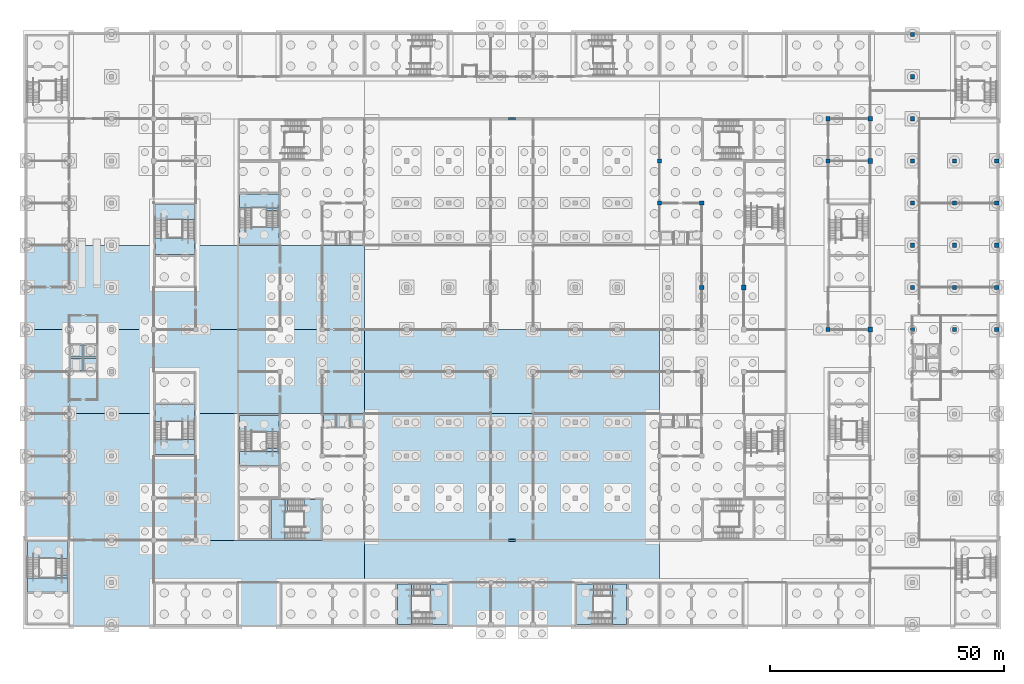
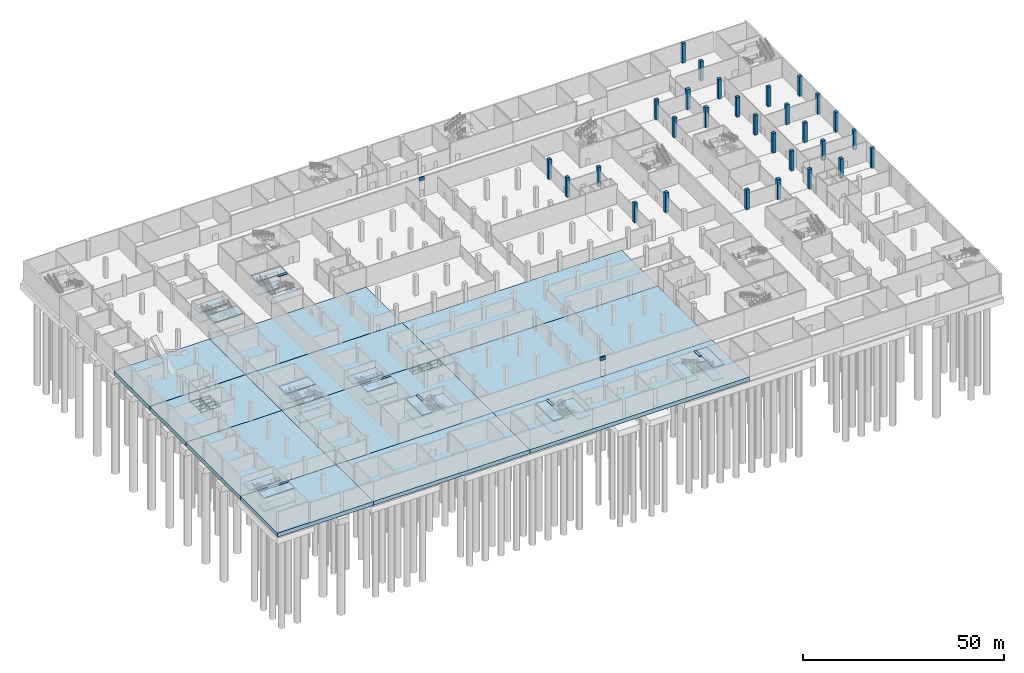
# One storey, part 5 of 42: 50 slabs, 29 columns, 2 beams, 8 elements without a shape of their own.
"""IFC4 building model written with IfcOpenShell, lengths in metres."""

from ifc_helpers import new_model, si_unit, direction, frame, origin, origin_2d, place, context, subcontext, project, spatial, polyline, rectangle, outline, extrude, material, layer, layer_set, material_profile, profile_set, type_object, element, aggregate, save


model = new_model("IFC4")

# Units and contexts
model_context = context("Model", 3, precision=1e-05, world=origin(), true_north=direction((0.0, 1.0)))
body_context = subcontext(model_context, "Body", "Model", "MODEL_VIEW")
ifc_project = project(units=[si_unit("LENGTHUNIT", "METRE"), si_unit("AREAUNIT", "SQUARE_METRE"), si_unit("VOLUMEUNIT", "CUBIC_METRE"), si_unit("PLANEANGLEUNIT", "RADIAN"), si_unit("MASSUNIT", "GRAM", prefix="KILO")], contexts=[model_context])

# Site, building, storey
site_placement = place(None, origin())
site = spatial("IfcSite", under=ifc_project, at=site_placement, CompositionType="ELEMENT")
building_placement = place(site_placement, origin())
building = spatial("IfcBuilding", under=site, at=building_placement, Name="Silverbay Arena", CompositionType="ELEMENT")
storey_placement = place(building_placement, frame((0.0, 0.0, -6.0)))
storey = spatial("IfcBuildingStorey", under=building, at=storey_placement, Name="B1", CompositionType="ELEMENT", Elevation=-6.0)

# Columns
ifc_material_1 = material(Name="Concrete Grade 60", Category="concrete")
ifc_material_profile_1 = material_profile(ifc_material_1, rectangle(XDim=1.0, YDim=1.0, at=origin_2d()), Name="RC 1000x1000")
ifc_profile_set_1 = profile_set([ifc_material_profile_1], Name="Concrete Grade 60")
column_type_1 = type_object("IfcColumnType", Name="Basement column RC 1000x1000", PredefinedType="COLUMN", material=ifc_profile_set_1)
for number, where, z_axis, x_axis, name in (
    (1, (207.0, 81.0, 0.0), (0.0, 0.0, 1.0), (1.0, 0.0, 0.0), "Column 24/K B1"),
    (2, (207.0, 117.0, 0.0), (0.0, 0.0, 1.0), (1.0, 0.0, 0.0), "Column 24/P B1"),
    (3, (207.0, 126.0, 0.0), (0.0, 0.0, 1.0), (1.0, 0.0, 0.0), "Column 24/Q B1"),
    (4, (180.0, 90.0, 0.0), (0.0, 0.0, 1.0), (1.0, 0.0, 0.0), "Column 21/L B1"),
):
    element("IfcColumn", number, at=place(storey_placement, frame(where, z_axis=z_axis, x_axis=x_axis)), inside=storey, type_object=column_type_1, Name=name, PredefinedType="COLUMN", context=body_context, shape_type="SweptSolid", body=[
        extrude(rectangle(XDim=1.0, YDim=1.0, at=origin_2d()), origin(), (0.0, 0.0, 1.0), 6.0),
    ])
ifc_material_2 = material(Name="Concrete Grade C45", Category="concrete")
ifc_material_profile_2 = material_profile(ifc_material_2, rectangle(XDim=0.89990234375, YDim=0.89990234375, at=origin_2d()), Name="RC 900x900")
ifc_profile_set_2 = profile_set([ifc_material_profile_2], Name="Concrete Grade C45")
column_type_2 = type_object("IfcColumnType", Name="Basement column RC 900x900", PredefinedType="COLUMN", material=ifc_profile_set_2)
for number, where, z_axis, x_axis, name in (
    (5, (198.0, 81.0, 0.0), (0.0, 0.0, 1.0), (1.0, 0.0, 0.0), "Column 23/K B1"),
    (6, (198.0, 117.0, 0.0), (0.0, 0.0, 1.0), (1.0, 0.0, 0.0), "Column 23/P B1"),
    (7, (198.0, 126.0, 0.0), (0.0, 0.0, 1.0), (1.0, 0.0, 0.0), "Column 23/Q B1"),
    (8, (216.0, 81.0, 0.0), (0.0, 0.0, 1.0), (1.0, 0.0, 0.0), "Column 25/K B1"),
    (9, (216.0, 90.0, 0.0), (0.0, 0.0, 1.0), (1.0, 0.0, 0.0), "Column 25/L B1"),
    (10, (216.0, 99.0, 0.0), (0.0, 0.0, 1.0), (1.0, 0.0, 0.0), "Column 25/M B1"),
    (11, (216.0, 108.0, 0.0), (0.0, 0.0, 1.0), (1.0, 0.0, 0.0), "Column 25/N B1"),
    (12, (216.0, 117.0, 0.0), (0.0, 0.0, 1.0), (1.0, 0.0, 0.0), "Column 25/P B1"),
    (13, (216.0, 126.0, 0.0), (0.0, 0.0, 1.0), (1.0, 0.0, 0.0), "Column 25/Q B1"),
    (14, (216.0, 135.0, 0.0), (0.0, 0.0, 1.0), (1.0, 0.0, 0.0), "Column 25/R B1"),
    (15, (216.0, 144.0, 0.0), (0.0, 0.0, 1.0), (1.0, 0.0, 0.0), "Column 25/S B1"),
    (16, (225.0, 81.0, 0.0), (0.0, 0.0, 1.0), (1.0, 0.0, 0.0), "Column 26/K B1"),
    (17, (225.0, 90.0, 0.0), (0.0, 0.0, 1.0), (1.0, 0.0, 0.0), "Column 26/L B1"),
    (18, (225.0, 99.0, 0.0), (0.0, 0.0, 1.0), (1.0, 0.0, 0.0), "Column 26/M B1"),
    (19, (225.0, 108.0, 0.0), (0.0, 0.0, 1.0), (1.0, 0.0, 0.0), "Column 26/N B1"),
    (20, (225.0, 117.0, 0.0), (0.0, 0.0, 1.0), (1.0, 0.0, 0.0), "Column 26/P B1"),
    (21, (234.0, 81.0, 0.0), (0.0, 0.0, 1.0), (1.0, 0.0, 0.0), "Column 27/K B1"),
    (22, (234.0, 90.0, 0.0), (0.0, 0.0, 1.0), (1.0, 0.0, 0.0), "Column 27/L B1"),
    (23, (234.0, 99.0, 0.0), (0.0, 0.0, 1.0), (1.0, 0.0, 0.0), "Column 27/M B1"),
    (24, (234.0, 108.0, 0.0), (0.0, 0.0, 1.0), (1.0, 0.0, 0.0), "Column 27/N B1"),
    (25, (234.0, 117.0, 0.0), (0.0, 0.0, 1.0), (1.0, 0.0, 0.0), "Column 27/P B1"),
    (26, (162.0, 108.0, 0.0), (0.0, 0.0, 1.0), (1.0, 0.0, 0.0), "Column 19/N B1"),
    (27, (162.0, 117.0, 0.0), (0.0, 0.0, 1.0), (1.0, 0.0, 0.0), "Column 19/P B1"),
    (28, (171.0, 108.0, 0.0), (0.0, 0.0, 1.0), (1.0, 0.0, 0.0), "Column 20/N B1"),
    (29, (171.0, 90.0, 0.0), (0.0, 0.0, 1.0), (1.0, 0.0, 0.0), "Column 20/L B1"),
):
    element("IfcColumn", number, at=place(storey_placement, frame(where, z_axis=z_axis, x_axis=x_axis)), inside=storey, type_object=column_type_2, Name=name, PredefinedType="COLUMN", context=body_context, shape_type="SweptSolid", body=[
        extrude(rectangle(XDim=0.89990234375, YDim=0.89990234375, at=origin_2d()), origin(), (0.0, 0.0, 1.0), 6.0),
    ])

# Beams
ifc_material_3 = material(Name="Concrete Grade C45", Category="concrete")
ifc_material_profile_3 = material_profile(ifc_material_3, rectangle(XDim=0.39990234375, YDim=1.0, at=origin_2d()), Name="RC 400x1000")
ifc_profile_set_3 = profile_set([ifc_material_profile_3], Name="Concrete Grade C45")
beam_type = type_object("IfcBeamType", Name="RC lintel 400x1000", PredefinedType="BEAM", material=ifc_profile_set_3)
for number, where, z_axis, x_axis, name in (
    (30, (129.800048828125, 36.0, 5.5), (1.0, 0.0, 0.0), (0.0, 1.0, 0.0), "Lintel over portal B1-S"),
    (31, (129.800048828125, 126.0, 5.5), (1.0, 0.0, 0.0), (0.0, 1.0, 0.0), "Lintel over portal B1-N"),
):
    element("IfcBeam", number, at=place(storey_placement, frame(where, z_axis=z_axis, x_axis=x_axis)), inside=storey, type_object=beam_type, Name=name, PredefinedType="BEAM", context=body_context, shape_type="SweptSolid", body=[
        extrude(rectangle(XDim=0.39990234375, YDim=1.0, at=origin_2d()), origin(), (0.0, 0.0, 1.0), 1.39990234375),
    ])

# Slabs
ifc_material_4 = material(Name="Concrete Grade C45", Category="concrete")
ifc_layer_1 = layer(ifc_material_4, 1.199951171875)
ifc_layer_set_1 = layer_set([ifc_layer_1], Name="Concrete Grade C45")
slab_type_1 = type_object("IfcSlabType", Name="RC base slab 1200", PredefinedType="BASESLAB", material=ifc_layer_set_1)
slab_1_placement = place(storey_placement, frame((0.0, 0.0, -1.199951171875)))
element("IfcSlab", 32, at=slab_1_placement, inside=storey, type_object=slab_type_1, Name="Floor slab B1 unit 1", PredefinedType="BASESLAB", context=body_context, shape_type="SweptSolid", body=[
    extrude(outline(polyline([(54.0, 17.5), (26.5, 17.5), (26.5, 36.0), (54.0, 36.0), (54.0, 17.5)])), origin(), (0.0, 0.0, 1.0), 1.199951171875),
])
slab_2_placement = place(storey_placement, frame((0.0, 0.0, -1.199951171875)))
element("IfcSlab", 33, at=slab_2_placement, inside=storey, type_object=slab_type_1, Name="Floor slab B1 unit 2", PredefinedType="BASESLAB", context=body_context, shape_type="SweptSolid", body=[
    extrude(outline(polyline([(99.0, 36.0), (99.0, 17.5), (54.0, 17.5), (54.0, 36.0), (99.0, 36.0)])), origin(), (0.0, 0.0, 1.0), 1.199951171875),
])
slab_3_placement = place(storey_placement, frame((0.0, 0.0, -1.199951171875)))
element("IfcSlab", 34, at=slab_3_placement, inside=storey, type_object=slab_type_1, Name="Floor slab B1 unit 3", PredefinedType="BASESLAB", context=body_context, shape_type="SweptSolid", body=[
    extrude(outline(polyline([(162.0, 36.0), (162.0, 17.5), (99.0, 17.5), (99.0, 36.0), (162.0, 36.0)])), origin(), (0.0, 0.0, 1.0), 1.199951171875),
])
slab_4_placement = place(storey_placement, frame((0.0, 0.0, -1.199951171875)))
element("IfcSlab", 35, at=slab_4_placement, inside=storey, type_object=slab_type_1, Name="Floor slab B1 unit 6", PredefinedType="BASESLAB", context=body_context, shape_type="SweptSolid", body=[
    extrude(outline(polyline([(54.0, 36.0), (26.5, 36.0), (26.5, 63.074951171875), (54.0, 63.074951171875), (54.0, 36.0)])), origin(), (0.0, 0.0, 1.0), 1.199951171875),
])
slab_5_placement = place(storey_placement, frame((0.0, 0.0, -1.199951171875)))
element("IfcSlab", 36, at=slab_5_placement, inside=storey, type_object=slab_type_1, Name="Floor slab B1 unit 7", PredefinedType="BASESLAB", context=body_context, shape_type="SweptSolid", body=[
    extrude(outline(polyline([(99.0, 63.074951171875), (99.0, 36.0), (54.0, 36.0), (54.0, 63.074951171875), (99.0, 63.074951171875)]), holes=[polyline([(96.10009765625, 62.75), (96.10009765625, 60.25), (98.75, 60.25), (98.75, 62.75), (96.10009765625, 62.75)]), polyline([(93.10009765625, 62.75), (93.10009765625, 60.25), (95.89990234375, 60.25), (95.89990234375, 62.75), (93.10009765625, 62.75)]), polyline([(90.25, 62.75), (90.25, 60.25), (92.89990234375, 60.25), (92.89990234375, 62.75), (90.25, 62.75)])]), origin(), (0.0, 0.0, 1.0), 1.199951171875),
])
slab_6_placement = place(storey_placement, frame((0.0, 0.0, -1.199951171875)))
element("IfcSlab", 37, at=slab_6_placement, inside=storey, type_object=slab_type_1, Name="Floor slab B1 unit 8", PredefinedType="BASESLAB", context=body_context, shape_type="SweptSolid", body=[
    extrude(outline(polyline([(162.0, 63.074951171875), (162.0, 36.0), (99.0, 36.0), (99.0, 63.074951171875), (162.0, 63.074951171875)])), origin(), (0.0, 0.0, 1.0), 1.199951171875),
])
slab_7_placement = place(storey_placement, frame((0.0, 0.0, -1.199951171875)))
element("IfcSlab", 38, at=slab_7_placement, inside=storey, type_object=slab_type_1, Name="Floor slab B1 unit 11", PredefinedType="BASESLAB", context=body_context, shape_type="SweptSolid", body=[
    extrude(outline(polyline([(26.5, 98.925048828125), (54.0, 98.925048828125), (54.0, 81.050048828125), (26.5, 81.050048828125), (26.5, 98.925048828125)])), origin(), (0.0, 0.0, 1.0), 1.199951171875),
])
slab_8_placement = place(storey_placement, frame((0.0, 0.0, -1.199951171875)))
element("IfcSlab", 39, at=slab_8_placement, inside=storey, type_object=slab_type_1, Name="Floor slab B1 unit 11 B", PredefinedType="BASESLAB", context=body_context, shape_type="SweptSolid", body=[
    extrude(outline(polyline([(26.5, 63.074951171875), (26.5, 81.0), (54.0, 81.0), (54.0, 63.074951171875), (26.5, 63.074951171875)]), holes=[polyline([(39.10009765625, 75.125), (41.75, 75.125), (41.75, 77.75), (39.10009765625, 77.75), (39.10009765625, 75.125)]), polyline([(39.10009765625, 74.875), (39.10009765625, 72.25), (41.75, 72.25), (41.75, 74.875), (39.10009765625, 74.875)]), polyline([(36.25, 75.125), (38.89990234375, 75.125), (38.89990234375, 77.75), (36.25, 77.75), (36.25, 75.125)]), polyline([(36.25, 74.875), (36.25, 72.25), (38.89990234375, 72.25), (38.89990234375, 74.875), (36.25, 74.875)])]), origin(), (0.0, 0.0, 1.0), 1.199951171875),
])
slab_9_placement = place(storey_placement, frame((0.0, 0.0, -1.199951171875)))
element("IfcSlab", 40, at=slab_9_placement, inside=storey, type_object=slab_type_1, Name="Floor slab B1 unit 12", PredefinedType="BASESLAB", context=body_context, shape_type="SweptSolid", body=[
    extrude(outline(polyline([(99.0, 63.074951171875), (54.0, 63.074951171875), (54.0, 81.0), (99.0, 81.0), (99.0, 63.074951171875)])), origin(), (0.0, 0.0, 1.0), 1.199951171875),
])
slab_10_placement = place(storey_placement, frame((0.0, 0.0, -1.199951171875)))
element("IfcSlab", 41, at=slab_10_placement, inside=storey, type_object=slab_type_1, Name="Floor slab B1 unit 12 B", PredefinedType="BASESLAB", context=body_context, shape_type="SweptSolid", body=[
    extrude(outline(polyline([(99.0, 81.050048828125), (54.0, 81.050048828125), (54.0, 98.925048828125), (99.0, 98.925048828125), (99.0, 81.050048828125)])), origin(), (0.0, 0.0, 1.0), 1.199951171875),
])
slab_11_placement = place(storey_placement, frame((0.0, 0.0, -1.199951171875)))
element("IfcSlab", 42, at=slab_11_placement, inside=storey, type_object=slab_type_1, Name="Floor slab B1 unit 13", PredefinedType="BASESLAB", context=body_context, shape_type="SweptSolid", body=[
    extrude(outline(polyline([(162.0, 63.074951171875), (99.0, 63.074951171875), (99.0, 81.0), (162.0, 81.0), (162.0, 63.074951171875)])), origin(), (0.0, 0.0, 1.0), 1.199951171875),
])
ifc_material_5 = material(Name="Concrete Grade C45", Category="concrete")
ifc_layer_2 = layer(ifc_material_5, 0.199951171875)
ifc_layer_set_2 = layer_set([ifc_layer_2], Name="Concrete Grade C45")
slab_type_2 = type_object("IfcSlabType", Name="RC base slab 200", PredefinedType="BASESLAB", material=ifc_layer_set_2)
slab_12_placement = place(storey_placement, frame((0.0, 0.0, -1.199951171875)))
element("IfcSlab", 43, at=slab_12_placement, inside=storey, type_object=slab_type_2, Name="Lift pit slab LF2", PredefinedType="BASESLAB", context=body_context, shape_type="SweptSolid", body=[
    extrude(outline(polyline([(90.25, 60.25), (92.89990234375, 60.25), (92.89990234375, 62.75), (90.25, 62.75), (90.25, 60.25)])), origin(), (0.0, 0.0, 1.0), 0.199951171875),
])
slab_13_placement = place(storey_placement, frame((0.0, 0.0, -1.199951171875)))
element("IfcSlab", 44, at=slab_13_placement, inside=storey, type_object=slab_type_2, Name="Lift pit slab LF4", PredefinedType="BASESLAB", context=body_context, shape_type="SweptSolid", body=[
    extrude(outline(polyline([(93.10009765625, 60.25), (95.89990234375, 60.25), (95.89990234375, 62.75), (93.10009765625, 62.75), (93.10009765625, 60.25)])), origin(), (0.0, 0.0, 1.0), 0.199951171875),
])
slab_14_placement = place(storey_placement, frame((0.0, 0.0, -1.199951171875)))
element("IfcSlab", 45, at=slab_14_placement, inside=storey, type_object=slab_type_2, Name="Lift pit slab LF5", PredefinedType="BASESLAB", context=body_context, shape_type="SweptSolid", body=[
    extrude(outline(polyline([(96.10009765625, 60.25), (98.75, 60.25), (98.75, 62.75), (96.10009765625, 62.75), (96.10009765625, 60.25)])), origin(), (0.0, 0.0, 1.0), 0.199951171875),
])
slab_15_placement = place(storey_placement, frame((0.0, 0.0, -1.199951171875)))
element("IfcSlab", 46, at=slab_15_placement, inside=storey, type_object=slab_type_2, Name="Lift pit slab LF15", PredefinedType="BASESLAB", context=body_context, shape_type="SweptSolid", body=[
    extrude(outline(polyline([(36.25, 72.25), (38.89990234375, 72.25), (38.89990234375, 74.875), (36.25, 74.875), (36.25, 72.25)])), origin(), (0.0, 0.0, 1.0), 0.199951171875),
])
slab_16_placement = place(storey_placement, frame((0.0, 0.0, -1.199951171875)))
element("IfcSlab", 47, at=slab_16_placement, inside=storey, type_object=slab_type_2, Name="Lift pit slab LF16", PredefinedType="BASESLAB", context=body_context, shape_type="SweptSolid", body=[
    extrude(outline(polyline([(39.10009765625, 72.25), (41.75, 72.25), (41.75, 74.875), (39.10009765625, 74.875), (39.10009765625, 72.25)])), origin(), (0.0, 0.0, 1.0), 0.199951171875),
])
slab_17_placement = place(storey_placement, frame((0.0, 0.0, -1.199951171875)))
element("IfcSlab", 48, at=slab_17_placement, inside=storey, type_object=slab_type_2, Name="Lift pit slab LF17", PredefinedType="BASESLAB", context=body_context, shape_type="SweptSolid", body=[
    extrude(outline(polyline([(36.25, 75.125), (38.89990234375, 75.125), (38.89990234375, 77.75), (36.25, 77.75), (36.25, 75.125)])), origin(), (0.0, 0.0, 1.0), 0.199951171875),
])
slab_18_placement = place(storey_placement, frame((0.0, 0.0, -1.199951171875)))
element("IfcSlab", 49, at=slab_18_placement, inside=storey, type_object=slab_type_2, Name="Lift pit slab LF19", PredefinedType="BASESLAB", context=body_context, shape_type="SweptSolid", body=[
    extrude(outline(polyline([(39.10009765625, 75.125), (41.75, 75.125), (41.75, 77.75), (39.10009765625, 77.75), (39.10009765625, 75.125)])), origin(), (0.0, 0.0, 1.0), 0.199951171875),
])

# Stair, slab
ifc_material_6 = material(Name="Concrete Grade C45", Category="concrete")
stair_type_1 = type_object("IfcStairType", Name="Stair 2600 wide 48 risers 125.0 x 300", PredefinedType="HALF_TURN_STAIR", material=ifc_material_6)
stair_1_placement = place(storey_placement, origin())
stair_1 = element("IfcStair", 50, at=stair_1_placement, inside=storey, type_object=stair_type_1, Name="Stair ST-S2 B1 to L00", PredefinedType="HALF_TURN_STAIR")
ifc_material_7 = material(Name="Concrete Grade C45", Category="concrete")
ifc_layer_3 = layer(ifc_material_7, 0.25)
ifc_layer_set_3 = layer_set([ifc_layer_3], Name="Concrete Grade C45")
slab_type_3 = type_object("IfcSlabType", Name="Stair arrival platform RC 250", PredefinedType="FLOOR", material=ifc_layer_set_3)
slab_19_placement = place(storey_placement, frame((0.0, 0.0, 5.75)))
slab_19 = element("IfcSlab", 51, at=slab_19_placement, type_object=slab_type_3, Name="Stair ST-S2 B1 to L00 arrival platform 4", PredefinedType="FLOOR", context=body_context, shape_type="SweptSolid", body=[
    extrude(outline(polyline([(109.60009765625, 26.699951171875), (108.989990234375, 26.699951171875), (108.989990234375, 24.10009765625), (109.60009765625, 24.10009765625), (109.60009765625, 26.699951171875)])), origin(), (0.0, 0.0, 1.0), 0.25),
])

stair_2_placement = place(storey_placement, origin())
stair_2 = element("IfcStair", 52, at=stair_2_placement, inside=storey, type_object=stair_type_1, Name="Stair ST-S3 B1 to L00", PredefinedType="HALF_TURN_STAIR")
slab_20_placement = place(storey_placement, frame((0.0, 0.0, 5.75)))
slab_20 = element("IfcSlab", 53, at=slab_20_placement, type_object=slab_type_3, Name="Stair ST-S3 B1 to L00 arrival platform 4", PredefinedType="FLOOR", context=body_context, shape_type="SweptSolid", body=[
    extrude(outline(polyline([(151.39990234375, 26.699951171875), (152.010009765625, 26.699951171875), (152.010009765625, 24.10009765625), (151.39990234375, 24.10009765625), (151.39990234375, 26.699951171875)])), origin(), (0.0, 0.0, 1.0), 0.25),
])

stair_3_placement = place(storey_placement, origin())
stair_3 = element("IfcStair", 54, at=stair_3_placement, inside=storey, type_object=stair_type_1, Name="Stair ST-SW1 B1 to L00", PredefinedType="HALF_TURN_STAIR")
slab_21_placement = place(storey_placement, frame((0.0, 0.0, 5.75)))
slab_21 = element("IfcSlab", 55, at=slab_21_placement, type_object=slab_type_3, Name="Stair ST-SW1 B1 to L00 arrival platform 4", PredefinedType="FLOOR", context=body_context, shape_type="SweptSolid", body=[
    extrude(outline(polyline([(82.60009765625, 44.699951171875), (81.989990234375, 44.699951171875), (81.989990234375, 42.10009765625), (82.60009765625, 42.10009765625), (82.60009765625, 44.699951171875)])), origin(), (0.0, 0.0, 1.0), 0.25),
])

stair_4_placement = place(storey_placement, origin())
stair_4 = element("IfcStair", 56, at=stair_4_placement, inside=storey, type_object=stair_type_1, Name="Stair ST-SW2 B1 to L00", PredefinedType="HALF_TURN_STAIR")
slab_22_placement = place(storey_placement, frame((0.0, 0.0, 5.75)))
slab_22 = element("IfcSlab", 57, at=slab_22_placement, type_object=slab_type_3, Name="Stair ST-SW2 B1 to L00 arrival platform 4", PredefinedType="FLOOR", context=body_context, shape_type="SweptSolid", body=[
    extrude(outline(polyline([(80.699951171875, 55.60009765625), (80.699951171875, 54.989990234375), (78.10009765625, 54.989990234375), (78.10009765625, 55.60009765625), (80.699951171875, 55.60009765625)])), origin(), (0.0, 0.0, 1.0), 0.25),
])

stair_5_placement = place(storey_placement, origin())
stair_5 = element("IfcStair", 58, at=stair_5_placement, inside=storey, type_object=stair_type_1, Name="Stair ST-NW2 B1 to L00", PredefinedType="HALF_TURN_STAIR")
slab_23_placement = place(storey_placement, frame((0.0, 0.0, 5.75)))
slab_23 = element("IfcSlab", 59, at=slab_23_placement, type_object=slab_type_3, Name="Stair ST-NW2 B1 to L00 arrival platform 4", PredefinedType="FLOOR", context=body_context, shape_type="SweptSolid", body=[
    extrude(outline(polyline([(80.699951171875, 106.39990234375), (80.699951171875, 107.010009765625), (78.10009765625, 107.010009765625), (78.10009765625, 106.39990234375), (80.699951171875, 106.39990234375)])), origin(), (0.0, 0.0, 1.0), 0.25),
])

stair_6_placement = place(storey_placement, origin())
stair_6 = element("IfcStair", 60, at=stair_6_placement, inside=storey, type_object=stair_type_1, Name="Stair ST-WG1 B1 to L00", PredefinedType="HALF_TURN_STAIR")
slab_24_placement = place(storey_placement, frame((0.0, 0.0, 5.75)))
slab_24 = element("IfcSlab", 61, at=slab_24_placement, type_object=slab_type_3, Name="Stair ST-WG1 B1 to L00 arrival platform 4", PredefinedType="FLOOR", context=body_context, shape_type="SweptSolid", body=[
    extrude(outline(polyline([(35.699951171875, 28.60009765625), (35.699951171875, 27.989990234375), (33.10009765625, 27.989990234375), (33.10009765625, 28.60009765625), (35.699951171875, 28.60009765625)])), origin(), (0.0, 0.0, 1.0), 0.25),
])

# Slab
ifc_material_8 = material(Name="Concrete Grade C45", Category="concrete")
ifc_layer_4 = layer(ifc_material_8, 0.25)
ifc_layer_set_4 = layer_set([ifc_layer_4], Name="Concrete Grade C45")
slab_type_4 = type_object("IfcSlabType", Name="Stair landing RC 250", PredefinedType="LANDING", material=ifc_layer_set_4)
slab_25_placement = place(storey_placement, frame((0.0, 0.0, 1.75)))
slab_25 = element("IfcSlab", 62, at=slab_25_placement, type_object=slab_type_4, Name="Stair ST-S2 B1 to L00 landing 1", PredefinedType="LANDING", context=body_context, shape_type="SweptSolid", body=[
    extrude(outline(polyline([(108.989990234375, 26.699951171875), (106.0, 26.699951171875), (106.0, 18.0), (108.989990234375, 18.0), (108.989990234375, 26.699951171875)])), origin(), (0.0, 0.0, 1.0), 0.25),
])

slab_26_placement = place(storey_placement, frame((0.0, 0.0, 3.75)))
slab_26 = element("IfcSlab", 63, at=slab_26_placement, type_object=slab_type_4, Name="Stair ST-S2 B1 to L00 landing 2", PredefinedType="LANDING", context=body_context, shape_type="SweptSolid", body=[
    extrude(outline(polyline([(116.699951171875, 26.699951171875), (113.10009765625, 26.699951171875), (113.10009765625, 18.0), (116.699951171875, 18.0), (116.699951171875, 26.699951171875)])), origin(), (0.0, 0.0, 1.0), 0.25),
])

slab_27_placement = place(storey_placement, frame((0.0, 0.0, 5.75)))
slab_27 = element("IfcSlab", 64, at=slab_27_placement, type_object=slab_type_4, Name="Stair ST-S2 B1 to L00 landing 3", PredefinedType="LANDING", context=body_context, shape_type="SweptSolid", body=[
    extrude(outline(polyline([(108.989990234375, 26.699951171875), (106.0, 26.699951171875), (106.0, 18.0), (108.989990234375, 18.0), (108.989990234375, 26.699951171875)])), origin(), (0.0, 0.0, 1.0), 0.25),
])

aggregate(stair_1, [slab_25, slab_26, slab_27, slab_19])

slab_28_placement = place(storey_placement, frame((0.0, 0.0, 1.75)))
slab_28 = element("IfcSlab", 65, at=slab_28_placement, type_object=slab_type_4, Name="Stair ST-S3 B1 to L00 landing 1", PredefinedType="LANDING", context=body_context, shape_type="SweptSolid", body=[
    extrude(outline(polyline([(152.010009765625, 26.699951171875), (155.0, 26.699951171875), (155.0, 18.0), (152.010009765625, 18.0), (152.010009765625, 26.699951171875)])), origin(), (0.0, 0.0, 1.0), 0.25),
])

slab_29_placement = place(storey_placement, frame((0.0, 0.0, 3.75)))
slab_29 = element("IfcSlab", 66, at=slab_29_placement, type_object=slab_type_4, Name="Stair ST-S3 B1 to L00 landing 2", PredefinedType="LANDING", context=body_context, shape_type="SweptSolid", body=[
    extrude(outline(polyline([(144.300048828125, 26.699951171875), (147.89990234375, 26.699951171875), (147.89990234375, 18.0), (144.300048828125, 18.0), (144.300048828125, 26.699951171875)])), origin(), (0.0, 0.0, 1.0), 0.25),
])

slab_30_placement = place(storey_placement, frame((0.0, 0.0, 5.75)))
slab_30 = element("IfcSlab", 67, at=slab_30_placement, type_object=slab_type_4, Name="Stair ST-S3 B1 to L00 landing 3", PredefinedType="LANDING", context=body_context, shape_type="SweptSolid", body=[
    extrude(outline(polyline([(152.010009765625, 26.699951171875), (155.0, 26.699951171875), (155.0, 18.0), (152.010009765625, 18.0), (152.010009765625, 26.699951171875)])), origin(), (0.0, 0.0, 1.0), 0.25),
])

aggregate(stair_2, [slab_28, slab_29, slab_30, slab_20])

# Stair, slabs
ifc_material_9 = material(Name="Concrete Grade C45", Category="concrete")
stair_type_2 = type_object("IfcStairType", Name="Stair 2600 wide 56 risers 107.1 x 340", PredefinedType="HALF_TURN_STAIR", material=ifc_material_9)
stair_7_placement = place(storey_placement, origin())
stair_7 = element("IfcStair", 68, at=stair_7_placement, inside=storey, type_object=stair_type_2, Name="Stair ST-W1 B1 to L00", PredefinedType="HALF_TURN_STAIR")
slab_31_placement = place(storey_placement, frame((0.0, 0.0, 1.25)))
slab_31 = element("IfcSlab", 69, at=slab_31_placement, type_object=slab_type_4, Name="Stair ST-W1 B1 to L00 landing 1", PredefinedType="LANDING", context=body_context, shape_type="SweptSolid", body=[
    extrude(outline(polyline([(62.699951171875, 57.47900390625), (62.699951171875, 54.300048828125), (54.300048828125, 54.300048828125), (54.300048828125, 57.47900390625), (62.699951171875, 57.47900390625)])), origin(), (0.0, 0.0, 1.0), 0.25),
])
slab_32_placement = place(storey_placement, frame((0.0, 0.0, 2.75)))
slab_32 = element("IfcSlab", 70, at=slab_32_placement, type_object=slab_type_4, Name="Stair ST-W1 B1 to L00 landing 2", PredefinedType="LANDING", context=body_context, shape_type="SweptSolid", body=[
    extrude(outline(polyline([(62.699951171875, 65.0), (62.699951171875, 61.39990234375), (54.300048828125, 61.39990234375), (54.300048828125, 65.0), (62.699951171875, 65.0)])), origin(), (0.0, 0.0, 1.0), 0.25),
])
slab_33_placement = place(storey_placement, frame((0.0, 0.0, 4.25)))
slab_33 = element("IfcSlab", 71, at=slab_33_placement, type_object=slab_type_4, Name="Stair ST-W1 B1 to L00 landing 3", PredefinedType="LANDING", context=body_context, shape_type="SweptSolid", body=[
    extrude(outline(polyline([(62.699951171875, 57.47900390625), (62.699951171875, 54.300048828125), (54.300048828125, 54.300048828125), (54.300048828125, 57.47900390625), (62.699951171875, 57.47900390625)])), origin(), (0.0, 0.0, 1.0), 0.25),
])
slab_34_placement = place(storey_placement, frame((0.0, 0.0, 5.75)))
slab_34 = element("IfcSlab", 72, at=slab_34_placement, type_object=slab_type_4, Name="Stair ST-W1 B1 to L00 landing 4", PredefinedType="LANDING", context=body_context, shape_type="SweptSolid", body=[
    extrude(outline(polyline([(62.699951171875, 65.0), (62.699951171875, 61.39990234375), (54.300048828125, 61.39990234375), (54.300048828125, 65.0), (62.699951171875, 65.0)])), origin(), (0.0, 0.0, 1.0), 0.25),
])
aggregate(stair_7, [slab_31, slab_32, slab_33, slab_34])

stair_8_placement = place(storey_placement, origin())
stair_8 = element("IfcStair", 73, at=stair_8_placement, inside=storey, type_object=stair_type_2, Name="Stair ST-W2 B1 to L00", PredefinedType="HALF_TURN_STAIR")
slab_35_placement = place(storey_placement, frame((0.0, 0.0, 1.25)))
slab_35 = element("IfcSlab", 74, at=slab_35_placement, type_object=slab_type_4, Name="Stair ST-W2 B1 to L00 landing 1", PredefinedType="LANDING", context=body_context, shape_type="SweptSolid", body=[
    extrude(outline(polyline([(62.699951171875, 104.52099609375), (62.699951171875, 107.699951171875), (54.300048828125, 107.699951171875), (54.300048828125, 104.52099609375), (62.699951171875, 104.52099609375)])), origin(), (0.0, 0.0, 1.0), 0.25),
])
slab_36_placement = place(storey_placement, frame((0.0, 0.0, 2.75)))
slab_36 = element("IfcSlab", 75, at=slab_36_placement, type_object=slab_type_4, Name="Stair ST-W2 B1 to L00 landing 2", PredefinedType="LANDING", context=body_context, shape_type="SweptSolid", body=[
    extrude(outline(polyline([(62.699951171875, 97.0), (62.699951171875, 100.60009765625), (54.300048828125, 100.60009765625), (54.300048828125, 97.0), (62.699951171875, 97.0)])), origin(), (0.0, 0.0, 1.0), 0.25),
])
slab_37_placement = place(storey_placement, frame((0.0, 0.0, 4.25)))
slab_37 = element("IfcSlab", 76, at=slab_37_placement, type_object=slab_type_4, Name="Stair ST-W2 B1 to L00 landing 3", PredefinedType="LANDING", context=body_context, shape_type="SweptSolid", body=[
    extrude(outline(polyline([(62.699951171875, 104.52099609375), (62.699951171875, 107.699951171875), (54.300048828125, 107.699951171875), (54.300048828125, 104.52099609375), (62.699951171875, 104.52099609375)])), origin(), (0.0, 0.0, 1.0), 0.25),
])
slab_38_placement = place(storey_placement, frame((0.0, 0.0, 5.75)))
slab_38 = element("IfcSlab", 77, at=slab_38_placement, type_object=slab_type_4, Name="Stair ST-W2 B1 to L00 landing 4", PredefinedType="LANDING", context=body_context, shape_type="SweptSolid", body=[
    extrude(outline(polyline([(62.699951171875, 97.0), (62.699951171875, 100.60009765625), (54.300048828125, 100.60009765625), (54.300048828125, 97.0), (62.699951171875, 97.0)])), origin(), (0.0, 0.0, 1.0), 0.25),
])
aggregate(stair_8, [slab_35, slab_36, slab_37, slab_38])

# Slab
slab_39_placement = place(storey_placement, frame((0.0, 0.0, 1.75)))
slab_39 = element("IfcSlab", 78, at=slab_39_placement, type_object=slab_type_4, Name="Stair ST-SW1 B1 to L00 landing 1", PredefinedType="LANDING", context=body_context, shape_type="SweptSolid", body=[
    extrude(outline(polyline([(81.989990234375, 44.699951171875), (79.0, 44.699951171875), (79.0, 36.300048828125), (81.989990234375, 36.300048828125), (81.989990234375, 44.699951171875)])), origin(), (0.0, 0.0, 1.0), 0.25),
])

slab_40_placement = place(storey_placement, frame((0.0, 0.0, 3.75)))
slab_40 = element("IfcSlab", 79, at=slab_40_placement, type_object=slab_type_4, Name="Stair ST-SW1 B1 to L00 landing 2", PredefinedType="LANDING", context=body_context, shape_type="SweptSolid", body=[
    extrude(outline(polyline([(89.699951171875, 44.699951171875), (86.10009765625, 44.699951171875), (86.10009765625, 36.300048828125), (89.699951171875, 36.300048828125), (89.699951171875, 44.699951171875)])), origin(), (0.0, 0.0, 1.0), 0.25),
])

slab_41_placement = place(storey_placement, frame((0.0, 0.0, 5.75)))
slab_41 = element("IfcSlab", 80, at=slab_41_placement, type_object=slab_type_4, Name="Stair ST-SW1 B1 to L00 landing 3", PredefinedType="LANDING", context=body_context, shape_type="SweptSolid", body=[
    extrude(outline(polyline([(81.989990234375, 44.699951171875), (79.0, 44.699951171875), (79.0, 36.300048828125), (81.989990234375, 36.300048828125), (81.989990234375, 44.699951171875)])), origin(), (0.0, 0.0, 1.0), 0.25),
])

aggregate(stair_3, [slab_39, slab_40, slab_41, slab_21])

slab_42_placement = place(storey_placement, frame((0.0, 0.0, 1.75)))
slab_42 = element("IfcSlab", 81, at=slab_42_placement, type_object=slab_type_4, Name="Stair ST-SW2 B1 to L00 landing 1", PredefinedType="LANDING", context=body_context, shape_type="SweptSolid", body=[
    extrude(outline(polyline([(80.699951171875, 54.989990234375), (80.699951171875, 52.0), (72.300048828125, 52.0), (72.300048828125, 54.989990234375), (80.699951171875, 54.989990234375)])), origin(), (0.0, 0.0, 1.0), 0.25),
])

slab_43_placement = place(storey_placement, frame((0.0, 0.0, 3.75)))
slab_43 = element("IfcSlab", 82, at=slab_43_placement, type_object=slab_type_4, Name="Stair ST-SW2 B1 to L00 landing 2", PredefinedType="LANDING", context=body_context, shape_type="SweptSolid", body=[
    extrude(outline(polyline([(80.699951171875, 62.699951171875), (80.699951171875, 59.10009765625), (72.300048828125, 59.10009765625), (72.300048828125, 62.699951171875), (80.699951171875, 62.699951171875)])), origin(), (0.0, 0.0, 1.0), 0.25),
])

slab_44_placement = place(storey_placement, frame((0.0, 0.0, 5.75)))
slab_44 = element("IfcSlab", 83, at=slab_44_placement, type_object=slab_type_4, Name="Stair ST-SW2 B1 to L00 landing 3", PredefinedType="LANDING", context=body_context, shape_type="SweptSolid", body=[
    extrude(outline(polyline([(80.699951171875, 54.989990234375), (80.699951171875, 52.0), (72.300048828125, 52.0), (72.300048828125, 54.989990234375), (80.699951171875, 54.989990234375)])), origin(), (0.0, 0.0, 1.0), 0.25),
])

aggregate(stair_4, [slab_42, slab_43, slab_44, slab_22])

slab_45_placement = place(storey_placement, frame((0.0, 0.0, 1.75)))
slab_45 = element("IfcSlab", 84, at=slab_45_placement, type_object=slab_type_4, Name="Stair ST-NW2 B1 to L00 landing 1", PredefinedType="LANDING", context=body_context, shape_type="SweptSolid", body=[
    extrude(outline(polyline([(80.699951171875, 107.010009765625), (80.699951171875, 110.0), (72.300048828125, 110.0), (72.300048828125, 107.010009765625), (80.699951171875, 107.010009765625)])), origin(), (0.0, 0.0, 1.0), 0.25),
])

slab_46_placement = place(storey_placement, frame((0.0, 0.0, 3.75)))
slab_46 = element("IfcSlab", 85, at=slab_46_placement, type_object=slab_type_4, Name="Stair ST-NW2 B1 to L00 landing 2", PredefinedType="LANDING", context=body_context, shape_type="SweptSolid", body=[
    extrude(outline(polyline([(80.699951171875, 99.300048828125), (80.699951171875, 102.89990234375), (72.300048828125, 102.89990234375), (72.300048828125, 99.300048828125), (80.699951171875, 99.300048828125)])), origin(), (0.0, 0.0, 1.0), 0.25),
])

slab_47_placement = place(storey_placement, frame((0.0, 0.0, 5.75)))
slab_47 = element("IfcSlab", 86, at=slab_47_placement, type_object=slab_type_4, Name="Stair ST-NW2 B1 to L00 landing 3", PredefinedType="LANDING", context=body_context, shape_type="SweptSolid", body=[
    extrude(outline(polyline([(80.699951171875, 107.010009765625), (80.699951171875, 110.0), (72.300048828125, 110.0), (72.300048828125, 107.010009765625), (80.699951171875, 107.010009765625)])), origin(), (0.0, 0.0, 1.0), 0.25),
])

aggregate(stair_5, [slab_45, slab_46, slab_47, slab_23])

slab_48_placement = place(storey_placement, frame((0.0, 0.0, 1.75)))
slab_48 = element("IfcSlab", 87, at=slab_48_placement, type_object=slab_type_4, Name="Stair ST-WG1 B1 to L00 landing 1", PredefinedType="LANDING", context=body_context, shape_type="SweptSolid", body=[
    extrude(outline(polyline([(35.699951171875, 27.989990234375), (35.699951171875, 25.0), (27.0, 25.0), (27.0, 27.989990234375), (35.699951171875, 27.989990234375)])), origin(), (0.0, 0.0, 1.0), 0.25),
])

slab_49_placement = place(storey_placement, frame((0.0, 0.0, 3.75)))
slab_49 = element("IfcSlab", 88, at=slab_49_placement, type_object=slab_type_4, Name="Stair ST-WG1 B1 to L00 landing 2", PredefinedType="LANDING", context=body_context, shape_type="SweptSolid", body=[
    extrude(outline(polyline([(35.699951171875, 35.699951171875), (35.699951171875, 32.10009765625), (27.0, 32.10009765625), (27.0, 35.699951171875), (35.699951171875, 35.699951171875)])), origin(), (0.0, 0.0, 1.0), 0.25),
])

slab_50_placement = place(storey_placement, frame((0.0, 0.0, 5.75)))
slab_50 = element("IfcSlab", 89, at=slab_50_placement, type_object=slab_type_4, Name="Stair ST-WG1 B1 to L00 landing 3", PredefinedType="LANDING", context=body_context, shape_type="SweptSolid", body=[
    extrude(outline(polyline([(35.699951171875, 27.989990234375), (35.699951171875, 25.0), (27.0, 25.0), (27.0, 27.989990234375), (35.699951171875, 27.989990234375)])), origin(), (0.0, 0.0, 1.0), 0.25),
])

aggregate(stair_6, [slab_48, slab_49, slab_50, slab_24])

save(model, "model.ifc")
